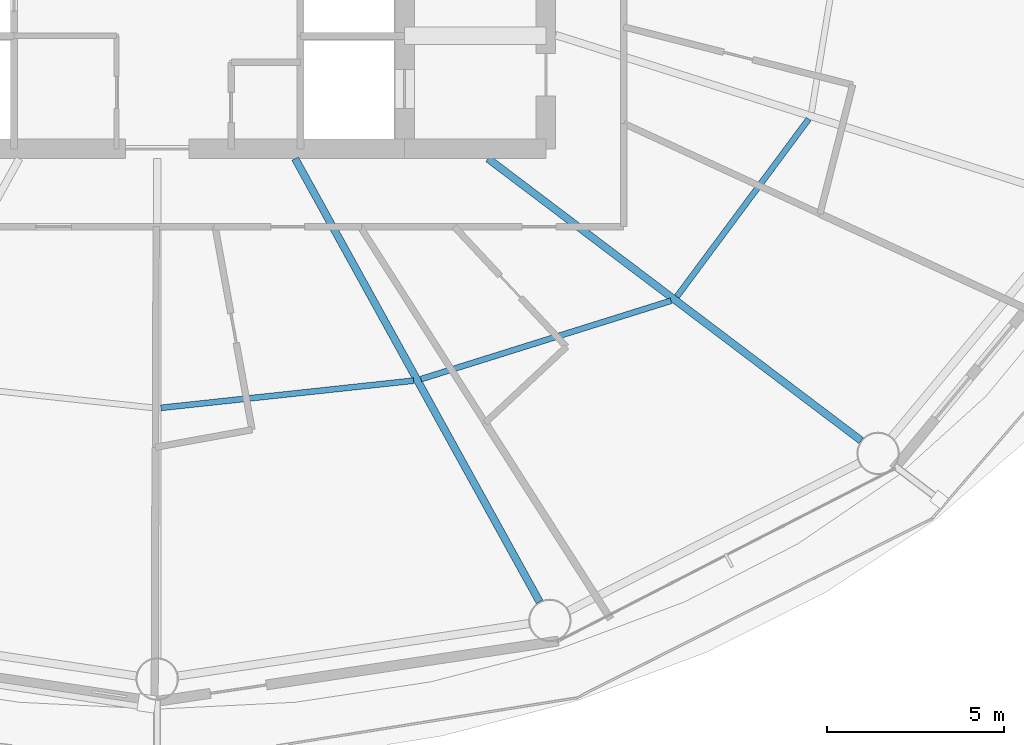
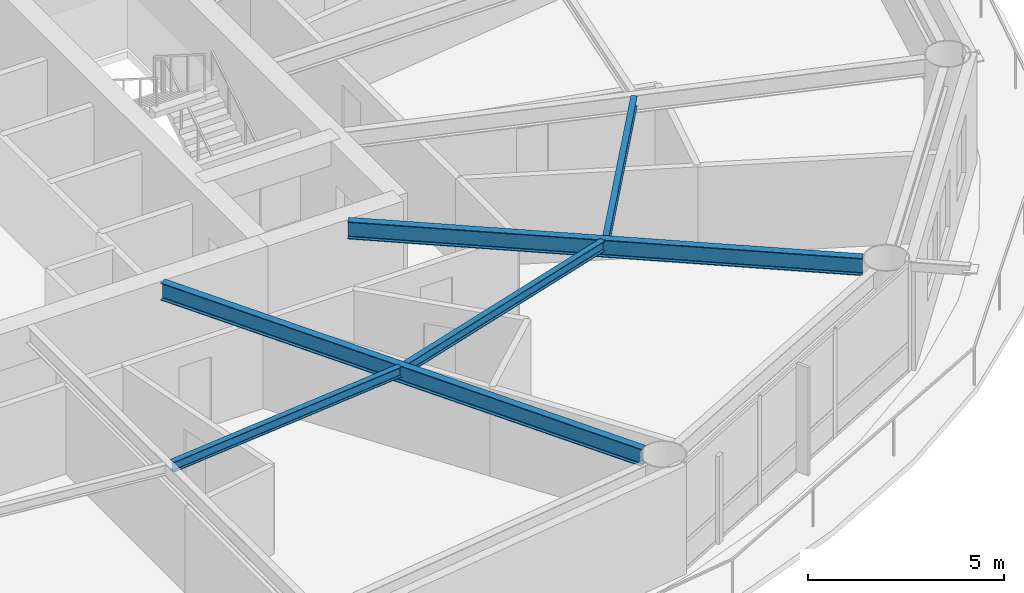
# One storey, part 5 of 24: 5 beams.
"""IFC4 building model written with IfcOpenShell, lengths in metres."""

from ifc_helpers import new_model, si_unit, direction, frame, origin, origin_2d, place, context, subcontext, project, spatial, i_section, extrude, material, material_profile, profile_set, type_object, element, save


model = new_model("IFC4")

# Units and contexts
model_context = context("Model", 3, precision=1e-05, world=origin(), true_north=direction((0.0, 1.0)))
body_context = subcontext(model_context, "Body", "Model", "MODEL_VIEW")
ifc_project = project(units=[si_unit("LENGTHUNIT", "METRE"), si_unit("AREAUNIT", "SQUARE_METRE"), si_unit("VOLUMEUNIT", "CUBIC_METRE"), si_unit("PLANEANGLEUNIT", "RADIAN"), si_unit("MASSUNIT", "GRAM", prefix="KILO")], contexts=[model_context])

# Site, building, storey
site_placement = place(None, origin())
site = spatial("IfcSite", under=ifc_project, at=site_placement, CompositionType="ELEMENT")
building_placement = place(site_placement, origin())
building = spatial("IfcBuilding", under=site, at=building_placement, Name="Sarneth Arch Tower", CompositionType="ELEMENT")
storey_placement = place(building_placement, frame((0.0, 0.0, 116.39990234375)))
storey = spatial("IfcBuildingStorey", under=building, at=storey_placement, Name="L29", CompositionType="ELEMENT", Elevation=116.39990234375)

# Beams
ifc_material_1 = material(Name="Steel S355", Category="steel")
ifc_material_profile_1 = material_profile(ifc_material_1, i_section(OverallWidth=0.1669921875, OverallDepth=0.31689453125, WebThickness=0.007568359375, FlangeThickness=0.01318359375, FilletRadius=0.012939453125, at=origin_2d()), Name="W310x52")
ifc_profile_set_1 = profile_set([ifc_material_profile_1], Name="Steel S355")
beam_type_1 = type_object("IfcBeamType", Name="BM-JOIST-310B", PredefinedType="JOIST", material=ifc_profile_set_1)
beam_1_placement = place(storey_placement, frame((48.10498046875, 27.873779296875, 3.2216796875), z_axis=(0.994257420028, 0.107014871487, 0.0), x_axis=(-0.107014871487, 0.994257420028, 0.0)))
element("IfcBeam", 1, at=beam_1_placement, inside=storey, type_object=beam_type_1, Name="L29 Secondary floor joist 13", PredefinedType="JOIST", context=body_context, shape_type="SweptSolid", body=[
    extrude(i_section(OverallWidth=0.1669921875, OverallDepth=0.31689453125, WebThickness=0.007568359375, FlangeThickness=0.01318359375, FilletRadius=0.012939453125, at=origin_2d()), origin(), (0.0, 0.0, 1.0), 7.193115234375),
])
beam_2_placement = place(storey_placement, frame((55.46240234375, 28.6865234375, 3.2216796875), z_axis=(0.954245982384, 0.299022750146, 0.0), x_axis=(-0.299022750146, 0.954245982384, 0.0)))
element("IfcBeam", 2, at=beam_2_placement, inside=storey, type_object=beam_type_1, Name="L29 Secondary floor joist 14", PredefinedType="JOIST", context=body_context, shape_type="SweptSolid", body=[
    extrude(i_section(OverallWidth=0.1669921875, OverallDepth=0.31689453125, WebThickness=0.007568359375, FlangeThickness=0.01318359375, FilletRadius=0.012939453125, at=origin_2d()), origin(), (0.0, 0.0, 1.0), 7.416748046875),
])
beam_3_placement = place(storey_placement, frame((62.703369140625, 31.0205078125, 3.2216796875), z_axis=(0.596098474255, 0.802911333206, 0.0), x_axis=(-0.802911333206, 0.596098474255, 0.0)))
element("IfcBeam", 3, at=beam_3_placement, inside=storey, type_object=beam_type_1, Name="L29 Secondary floor joist 15", PredefinedType="JOIST", context=body_context, shape_type="SweptSolid", body=[
    extrude(i_section(OverallWidth=0.1669921875, OverallDepth=0.31689453125, WebThickness=0.007568359375, FlangeThickness=0.01318359375, FilletRadius=0.012939453125, at=origin_2d()), origin(), (0.0, 0.0, 1.0), 6.259033203125),
])
ifc_material_2 = material(Name="Steel S355", Category="steel")
ifc_material_profile_2 = material_profile(ifc_material_2, i_section(OverallWidth=0.2109375, OverallDepth=0.5390625, WebThickness=0.01171875, FlangeThickness=0.018798828125, FilletRadius=0.01806640625, at=origin_2d()), Name="W530x109")
ifc_profile_set_2 = profile_set([ifc_material_profile_2], Name="Steel S355")
beam_type_2 = type_object("IfcBeamType", Name="BM-RAD-530B", PredefinedType="BEAM", material=ifc_profile_set_2)
beam_4_placement = place(storey_placement, frame((51.90283203125, 34.925048828125, 3.110595703125), z_axis=(0.483021011336, -0.875608761153, 0.0), x_axis=(0.875608761153, 0.483021011336, 0.0)))
element("IfcBeam", 4, at=beam_4_placement, inside=storey, type_object=beam_type_2, Name="L29 Radial floor girder 14", PredefinedType="BEAM", context=body_context, shape_type="SweptSolid", body=[
    extrude(i_section(OverallWidth=0.2109375, OverallDepth=0.5390625, WebThickness=0.01171875, FlangeThickness=0.018798828125, FilletRadius=0.01806640625, at=origin_2d()), origin(), (0.0, 0.0, 1.0), 14.32177734375),
])
beam_5_placement = place(storey_placement, frame((57.36181640625, 34.925048828125, 3.110595703125), z_axis=(0.797802835234, -0.602918432371, 0.0), x_axis=(0.602918432371, 0.797802835234, 0.0)))
element("IfcBeam", 5, at=beam_5_placement, inside=storey, type_object=beam_type_2, Name="L29 Radial floor girder 15", PredefinedType="BEAM", context=body_context, shape_type="SweptSolid", body=[
    extrude(i_section(OverallWidth=0.2109375, OverallDepth=0.5390625, WebThickness=0.01171875, FlangeThickness=0.018798828125, FilletRadius=0.01806640625, at=origin_2d()), origin(), (0.0, 0.0, 1.0), 13.232666015625),
])

save(model, "model.ifc")
